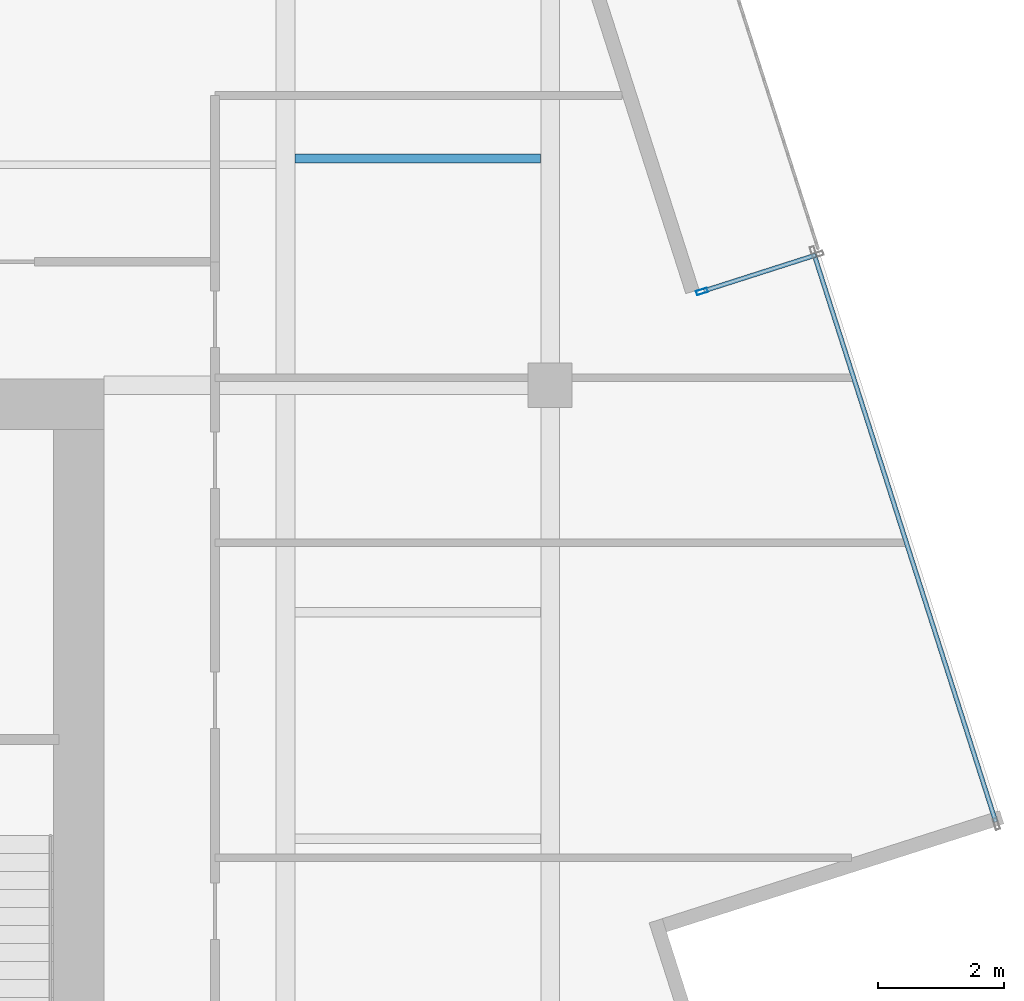
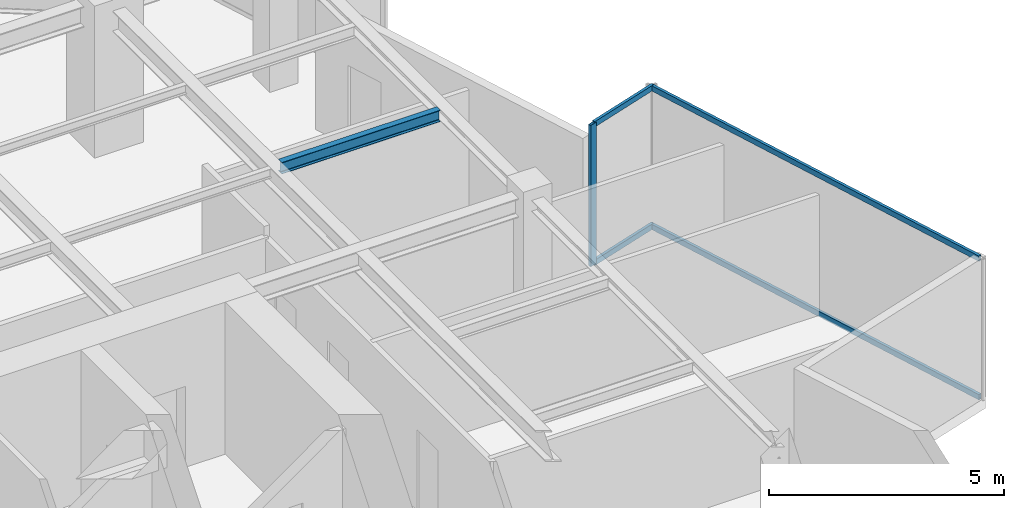
# One storey, part 11 of 21: 5 members, 1 beam, 2 elements without a shape of their own.
"""IFC4 building model written with IfcOpenShell, lengths in metres."""

from ifc_helpers import new_model, si_unit, direction, frame, origin, origin_2d, place, context, subcontext, project, spatial, hollow_rectangle, i_section, extrude, source, transform, mapped, material, material_profile, profile_set, type_object, type_shapes, element, aggregate, save


model = new_model("IFC4")

# Units and contexts
model_context = context("Model", 3, precision=1e-05, world=origin(), true_north=direction((0.0, 1.0)))
body_context = subcontext(model_context, "Body", "Model", "MODEL_VIEW")
ifc_project = project(units=[si_unit("LENGTHUNIT", "METRE"), si_unit("AREAUNIT", "SQUARE_METRE"), si_unit("VOLUMEUNIT", "CUBIC_METRE"), si_unit("PLANEANGLEUNIT", "RADIAN"), si_unit("MASSUNIT", "GRAM", prefix="KILO")], contexts=[model_context])

# Site, building, storey
site_placement = place(None, origin())
site = spatial("IfcSite", under=ifc_project, at=site_placement, CompositionType="ELEMENT")
building_placement = place(site_placement, origin())
building = spatial("IfcBuilding", under=site, at=building_placement, Name="Krantzveldt Concourse Tower", CompositionType="ELEMENT")
storey_placement = place(building_placement, frame((0.0, 0.0, 343.5)))
storey = spatial("IfcBuildingStorey", under=building, at=storey_placement, Name="L84", CompositionType="ELEMENT", Elevation=343.5)

# Beam
ifc_material_1 = material(Name="Steel S355JR", Category="steel")
ifc_material_profile_1 = material_profile(ifc_material_1, i_section(OverallWidth=0.14990234375, OverallDepth=0.300048828125, WebThickness=0.007080078125, FlangeThickness=0.0107421875, FilletRadius=0.014892578125, at=origin_2d()), Name="Steel S355JR", Category="steel")
ifc_profile_set_1 = profile_set([ifc_material_profile_1], Name="Steel S355JR - IPE 300")
beam_type = type_object("IfcBeamType", Name="BM-J-IPE300", PredefinedType="JOIST", material=ifc_profile_set_1)
shared_shape_1 = source(origin(), body_context, "Body", "SweptSolid", [
    extrude(i_section(OverallWidth=0.14990234375, OverallDepth=0.300048828125, WebThickness=0.007080078125, FlangeThickness=0.0107421875, FilletRadius=0.014892578125, at=origin_2d()), origin(), (0.0, 0.0, 1.0), 3.900146484375),
])
type_shapes(beam_type, [shared_shape_1])
beam_placement = place(storey_placement, frame((46.949951171875, 30.300048828125, 3.52001953125), z_axis=(1.0, 0.0, 0.0), x_axis=(0.0, 1.0, 0.0)))
element("IfcBeam", 1, at=beam_placement, inside=storey, type_object=beam_type, Name="L84 Secondary Floor Joist JE-3", PredefinedType="JOIST", context=body_context, shape_type="MappedRepresentation", body=[
    mapped(shared_shape_1, transform((0.0, 0.0, 0.0), x_axis=(1.0, 0.0, 0.0), y_axis=(0.0, 1.0, 0.0), z_axis=(0.0, 0.0, 1.0), scale=1.0)),
])

# Curtain wall, members
ifc_material_2 = material(Name="Anodised aluminium 6063-T6", Category="aluminium")
curtain_wall_type_1 = type_object("IfcCurtainWallType", Name="CW6", PredefinedType="USERDEFINED", material=ifc_material_2)
curtain_wall_1_placement = place(storey_placement, origin())
curtain_wall_1 = element("IfcCurtainWall", 2, at=curtain_wall_1_placement, inside=storey, type_object=curtain_wall_type_1, Name="CW-L84-TR11", ObjectType="UNITISED CURTAIN WALL", PredefinedType="USERDEFINED")
ifc_material_profile_2 = material_profile(ifc_material_2, hollow_rectangle(XDim=0.070068359375, YDim=0.179931640625, WallThickness=0.0048828125, at=origin_2d()), Name="Anodised aluminium 6063-T6", Category="aluminium")
ifc_profile_set_2 = profile_set([ifc_material_profile_2], Name="Anodised aluminium 6063-T6 - ALU-MULL 180x70x5")
member_type_1 = type_object("IfcMemberType", Name="CW-MUL-180", PredefinedType="MULLION", material=ifc_profile_set_2)
shared_shape_2 = source(origin(), body_context, "Body", "SweptSolid", [
    extrude(hollow_rectangle(XDim=0.070068359375, YDim=0.179931640625, WallThickness=0.0048828125, at=origin_2d()), origin(), (0.0, 0.0, 1.0), 3.669921875),
])
type_shapes(member_type_1, [shared_shape_2])
member_1_placement = place(storey_placement, frame((53.409912109375, 28.1884765625, 0.0), z_axis=(0.0, 0.0, 1.0), x_axis=(0.304865167035, -0.952395521792, 0.0)))
member_1 = element("IfcMember", 3, at=member_1_placement, type_object=member_type_1, Name="CW-TERR mullion 2", PredefinedType="MULLION", context=body_context, shape_type="MappedRepresentation", body=[
    mapped(shared_shape_2, transform((0.0, 0.0, 0.0), x_axis=(1.0, 0.0, 0.0), y_axis=(0.0, 1.0, 0.0), z_axis=(0.0, 0.0, 1.0), scale=1.0)),
])
ifc_material_profile_3 = material_profile(ifc_material_2, hollow_rectangle(XDim=0.070068359375, YDim=0.139892578125, WallThickness=0.0048828125, at=origin_2d()), Name="Anodised aluminium 6063-T6", Category="aluminium")
ifc_profile_set_3 = profile_set([ifc_material_profile_3], Name="Anodised aluminium 6063-T6 - ALU-TRAN 140x70x5")
member_type_2 = type_object("IfcMemberType", Name="CW-TRN-150", PredefinedType="USERDEFINED", material=ifc_profile_set_3)
shared_shape_3 = source(origin(), body_context, "Body", "SweptSolid", [
    extrude(hollow_rectangle(XDim=0.070068359375, YDim=0.139892578125, WallThickness=0.0048828125, at=origin_2d()), origin(), (0.0, 0.0, 1.0), 1.860107421875),
])
member_2_placement = place(storey_placement, frame((55.21484375, 28.766357421875, 0.034912109375), z_axis=(-0.952382990504, -0.304904311872, 0.0), x_axis=(0.304904311872, -0.952382990504, 0.0)))
member_2 = element("IfcMember", 4, at=member_2_placement, type_object=member_type_2, Name="CW-TERR transom 1.1", ObjectType="TRANSOM", PredefinedType="USERDEFINED", context=body_context, shape_type="MappedRepresentation", body=[
    mapped(shared_shape_3, transform((0.0, 0.0, 0.0), x_axis=(1.0, 0.0, 0.0), y_axis=(0.0, 1.0, 0.0), z_axis=(0.0, 0.0, 1.0), scale=1.0)),
])
member_3_placement = place(storey_placement, frame((55.21484375, 28.766357421875, 3.635009765625), z_axis=(-0.952382990504, -0.304904311872, 0.0), x_axis=(0.304904311872, -0.952382990504, 0.0)))
member_3 = element("IfcMember", 5, at=member_3_placement, type_object=member_type_2, Name="CW-TERR transom 1.2", ObjectType="TRANSOM", PredefinedType="USERDEFINED", context=body_context, shape_type="MappedRepresentation", body=[
    mapped(shared_shape_3, transform((0.0, 0.0, 0.0), x_axis=(1.0, 0.0, 0.0), y_axis=(0.0, 1.0, 0.0), z_axis=(0.0, 0.0, 1.0), scale=1.0)),
])
aggregate(curtain_wall_1, [member_1, member_2, member_3])

curtain_wall_type_2 = type_object("IfcCurtainWallType", Name="CW4", PredefinedType="USERDEFINED", material=ifc_material_2)
curtain_wall_2_placement = place(storey_placement, origin())
curtain_wall_2 = element("IfcCurtainWall", 6, at=curtain_wall_2_placement, inside=storey, type_object=curtain_wall_type_2, Name="CW-L84-F10", ObjectType="UNITISED CURTAIN WALL", PredefinedType="USERDEFINED")
shared_shape_4 = source(origin(), body_context, "Body", "SweptSolid", [
    extrude(hollow_rectangle(XDim=0.070068359375, YDim=0.139892578125, WallThickness=0.0048828125, at=origin_2d()), origin(), (0.0, 0.0, 1.0), 9.460205078125),
])
type_shapes(member_type_2, [shared_shape_3, shared_shape_4])
member_4_placement = place(storey_placement, frame((58.07373046875, 19.76953125, 0.034912109375), z_axis=(-0.304862811757, 0.952396275721, 0.0), x_axis=(-0.952396275721, -0.304862811757, 0.0)))
member_4 = element("IfcMember", 7, at=member_4_placement, type_object=member_type_2, Name="CW-Z56 transom 1.1", ObjectType="TRANSOM", PredefinedType="USERDEFINED", context=body_context, shape_type="MappedRepresentation", body=[
    mapped(shared_shape_4, transform((0.0, 0.0, 0.0), x_axis=(1.0, 0.0, 0.0), y_axis=(0.0, 1.0, 0.0), z_axis=(0.0, 0.0, 1.0), scale=1.0)),
])
member_5_placement = place(storey_placement, frame((58.07373046875, 19.76953125, 3.635009765625), z_axis=(-0.304862811757, 0.952396275721, 0.0), x_axis=(-0.952396275721, -0.304862811757, 0.0)))
member_5 = element("IfcMember", 8, at=member_5_placement, type_object=member_type_2, Name="CW-Z56 transom 1.2", ObjectType="TRANSOM", PredefinedType="USERDEFINED", context=body_context, shape_type="MappedRepresentation", body=[
    mapped(shared_shape_4, transform((0.0, 0.0, 0.0), x_axis=(1.0, 0.0, 0.0), y_axis=(0.0, 1.0, 0.0), z_axis=(0.0, 0.0, 1.0), scale=1.0)),
])
aggregate(curtain_wall_2, [member_4, member_5])

save(model, "model.ifc")
